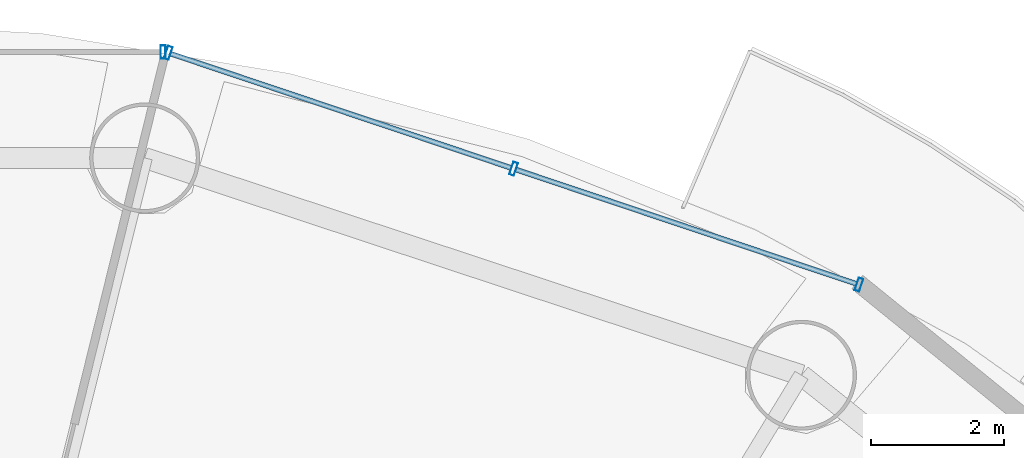
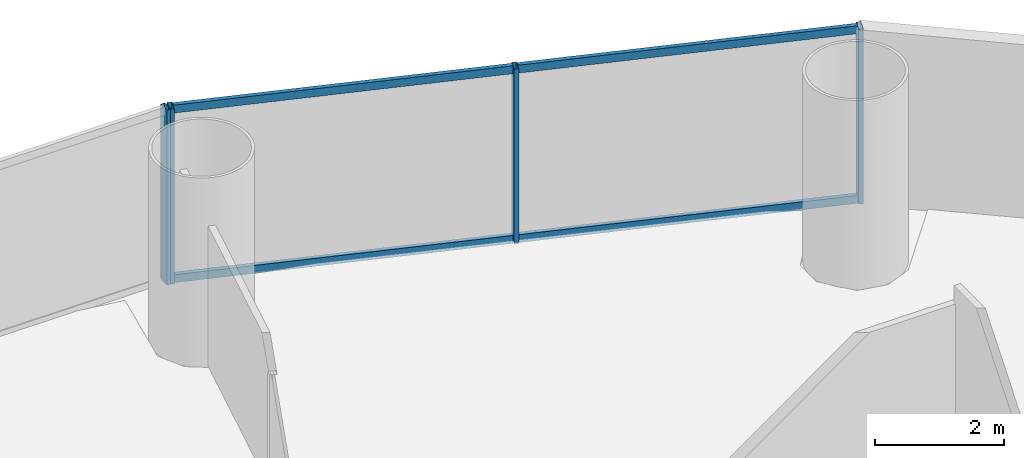
# One storey, part 20 of 30: 8 members, 2 elements without a shape of their own.
"""IFC4 building model written with IfcOpenShell, lengths in metres."""

from ifc_helpers import new_model, si_unit, direction, frame, origin, origin_2d, place, context, subcontext, project, spatial, hollow_rectangle, extrude, source, transform, mapped, material, material_profile, profile_set, type_object, element, aggregate, save


model = new_model("IFC4")

# Units and contexts
model_context = context("Model", 3, precision=1e-05, world=origin(), true_north=direction((-0.2419218956, 0.970295726276)))
body_context = subcontext(model_context, "Body", "Model", "MODEL_VIEW")
ifc_project = project(units=[si_unit("LENGTHUNIT", "METRE"), si_unit("AREAUNIT", "SQUARE_METRE"), si_unit("VOLUMEUNIT", "CUBIC_METRE"), si_unit("PLANEANGLEUNIT", "RADIAN"), si_unit("MASSUNIT", "GRAM", prefix="KILO")], contexts=[model_context])

# Site, building, storey
site_placement = place(None, origin())
site = spatial("IfcSite", under=ifc_project, at=site_placement, CompositionType="ELEMENT")
building_placement = place(site_placement, origin())
building = spatial("IfcBuilding", under=site, at=building_placement, Name="Cobrevalo Terracotta Tower", CompositionType="ELEMENT")
storey_placement = place(building_placement, frame((0.0, 0.0, 63.60009765625)))
storey = spatial("IfcBuildingStorey", under=building, at=storey_placement, Name="L16", CompositionType="ELEMENT", Elevation=63.60009765625)

# Curtain wall, members
ifc_material = material(Name="Anodized aluminium", Category="aluminium")
curtain_wall_type = type_object("IfcCurtainWallType", Name="Lower-tower unitised acoustic low-E curtain wall CW-U1", PredefinedType="NOTDEFINED", material=ifc_material)
curtain_wall_1_placement = place(storey_placement, origin())
curtain_wall_1 = element("IfcCurtainWall", 1, at=curtain_wall_1_placement, inside=storey, type_object=curtain_wall_type, Name="L16 curtain wall CW-L16-S03", PredefinedType="NOTDEFINED")
ifc_material_profile_1 = material_profile(ifc_material, hollow_rectangle(XDim=0.074951171875, YDim=0.14990234375, WallThickness=0.00439453125, at=origin_2d()), Name="CWT 75x150")
ifc_profile_set_1 = profile_set([ifc_material_profile_1], Name="Anodized aluminium")
member_type_1 = type_object("IfcMemberType", Name="Tower unitised aluminium transom 75x150", PredefinedType="USERDEFINED", material=ifc_profile_set_1)
shared_shape_1 = source(origin(), body_context, "Body", "SweptSolid", [
    extrude(hollow_rectangle(XDim=0.074951171875, YDim=0.14990234375, WallThickness=0.00439453125, at=origin_2d()), origin(), (0.0, 0.0, 1.0), 5.387939453125),
])
member_1_placement = place(storey_placement, frame((54.01904296875, 46.340087890625, 0.0498046875), z_axis=(-0.94804244582, 0.318143868278, 0.0), x_axis=(-0.318143868278, -0.94804244582, 0.0)))
member_1 = element("IfcMember", 2, at=member_1_placement, type_object=member_type_1, Name="CW-L16-S03 transom B01-T1", ObjectType="TRANSOM", PredefinedType="USERDEFINED", context=body_context, shape_type="MappedRepresentation", body=[
    mapped(shared_shape_1, transform((0.0, 0.0, 0.0), scale=1.0)),
])
member_2_placement = place(storey_placement, frame((54.01904296875, 46.340087890625, 3.27001953125), z_axis=(-0.94804244582, 0.318143868278, 0.0), x_axis=(-0.318143868278, -0.94804244582, 0.0)))
member_2 = element("IfcMember", 3, at=member_2_placement, type_object=member_type_1, Name="CW-L16-S03 transom B01-T2", ObjectType="TRANSOM", PredefinedType="USERDEFINED", context=body_context, shape_type="MappedRepresentation", body=[
    mapped(shared_shape_1, transform((0.0, 0.0, 0.0), scale=1.0)),
])
member_3_placement = place(storey_placement, frame((48.83544921875, 48.07958984375, 0.0498046875), z_axis=(-0.94804244582, 0.318143868278, 0.0), x_axis=(-0.318143868278, -0.94804244582, 0.0)))
member_3 = element("IfcMember", 4, at=member_3_placement, type_object=member_type_1, Name="CW-L16-S03 transom B02-T1", ObjectType="TRANSOM", PredefinedType="USERDEFINED", context=body_context, shape_type="MappedRepresentation", body=[
    mapped(shared_shape_1, transform((0.0, 0.0, 0.0), scale=1.0)),
])
member_4_placement = place(storey_placement, frame((48.83544921875, 48.07958984375, 3.27001953125), z_axis=(-0.94804244582, 0.318143868278, 0.0), x_axis=(-0.318143868278, -0.94804244582, 0.0)))
member_4 = element("IfcMember", 5, at=member_4_placement, type_object=member_type_1, Name="CW-L16-S03 transom B02-T2", ObjectType="TRANSOM", PredefinedType="USERDEFINED", context=body_context, shape_type="MappedRepresentation", body=[
    mapped(shared_shape_1, transform((0.0, 0.0, 0.0), scale=1.0)),
])
ifc_material_profile_2 = material_profile(ifc_material, hollow_rectangle(XDim=0.074951171875, YDim=0.199951171875, WallThickness=0.0048828125, at=origin_2d()), Name="CWM 75x200")
ifc_profile_set_2 = profile_set([ifc_material_profile_2], Name="Anodized aluminium")
member_type_2 = type_object("IfcMemberType", Name="Lower/mid tower unitised mullion 75x200", PredefinedType="MULLION", material=ifc_profile_set_2)
shared_shape_2 = source(origin(), body_context, "Body", "SweptSolid", [
    extrude(hollow_rectangle(XDim=0.074951171875, YDim=0.199951171875, WallThickness=0.0048828125, at=origin_2d()), origin(), (0.0, 0.0, 1.0), 3.31982421875),
])
member_5_placement = place(storey_placement, frame((54.056884765625, 46.327392578125, 0.0), z_axis=(0.0, 0.0, 1.0), x_axis=(-0.948046393597, 0.318132103987, 0.0)))
member_5 = element("IfcMember", 6, at=member_5_placement, type_object=member_type_2, Name="CW-L16-S03 vertical mullion 01", PredefinedType="MULLION", context=body_context, shape_type="MappedRepresentation", body=[
    mapped(shared_shape_2, transform((0.0, 0.0, 0.0), scale=1.0)),
])
member_6_placement = place(storey_placement, frame((48.873291015625, 48.06689453125, 0.0), z_axis=(0.0, 0.0, 1.0), x_axis=(-0.948046393597, 0.318132103987, 0.0)))
member_6 = element("IfcMember", 7, at=member_6_placement, type_object=member_type_2, Name="CW-L16-S03 vertical mullion 02", PredefinedType="MULLION", context=body_context, shape_type="MappedRepresentation", body=[
    mapped(shared_shape_2, transform((0.0, 0.0, 0.0), scale=1.0)),
])
member_7_placement = place(storey_placement, frame((43.689697265625, 49.806396484375, 0.0), z_axis=(0.0, 0.0, 1.0), x_axis=(-0.948046393597, 0.318132103987, 0.0)))
member_7 = element("IfcMember", 8, at=member_7_placement, type_object=member_type_2, Name="CW-L16-S03 vertical mullion 03", PredefinedType="MULLION", context=body_context, shape_type="MappedRepresentation", body=[
    mapped(shared_shape_2, transform((0.0, 0.0, 0.0), scale=1.0)),
])
aggregate(curtain_wall_1, [member_5, member_6, member_7, member_1, member_2, member_3, member_4])

# Curtain wall, member
curtain_wall_2_placement = place(storey_placement, origin())
curtain_wall_2 = element("IfcCurtainWall", 9, at=curtain_wall_2_placement, inside=storey, type_object=curtain_wall_type, Name="L16 curtain wall CW-L16-S04", PredefinedType="NOTDEFINED")
member_8_placement = place(storey_placement, frame((43.61181640625, 49.819091796875, 0.0), z_axis=(0.0, 0.0, 1.0), x_axis=(-1.0, 0.0, 0.0)))
member_8 = element("IfcMember", 10, at=member_8_placement, type_object=member_type_2, Name="CW-L16-S04 vertical mullion 01", PredefinedType="MULLION", context=body_context, shape_type="MappedRepresentation", body=[
    mapped(shared_shape_2, transform((0.0, 0.0, 0.0), scale=1.0)),
])
aggregate(curtain_wall_2, [member_8])

save(model, "model.ifc")
